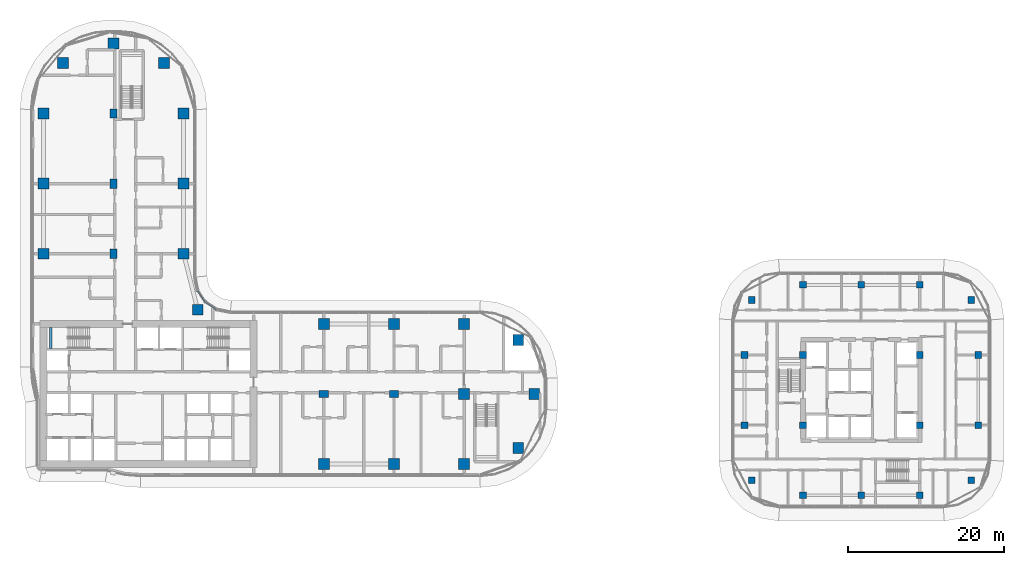
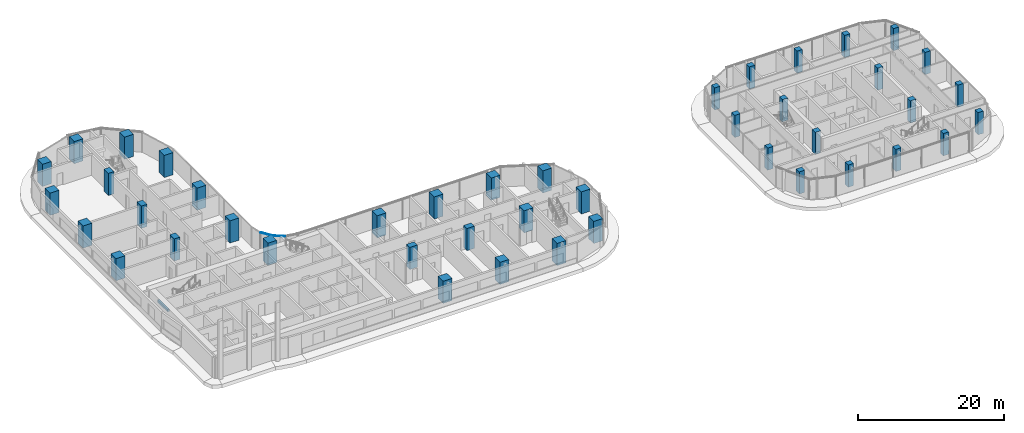
# One storey, part 1 of 36: 43 columns, 2 members, 1 beam, 1 element without a shape of its own.
"""IFC4 building model written with IfcOpenShell, lengths in metres."""

from ifc_helpers import new_model, si_unit, direction, frame, origin, origin_2d, place, context, subcontext, project, spatial, rectangle, extrude, material, material_profile, profile_set, type_object, element, aggregate, save


model = new_model("IFC4")

# Units and contexts
model_context = context("Model", 3, precision=1e-05, world=origin(), true_north=direction((0.0, 1.0)))
body_context = subcontext(model_context, "Body", "Model", "MODEL_VIEW")
ifc_project = project(units=[si_unit("LENGTHUNIT", "METRE"), si_unit("AREAUNIT", "SQUARE_METRE"), si_unit("VOLUMEUNIT", "CUBIC_METRE"), si_unit("PLANEANGLEUNIT", "RADIAN"), si_unit("MASSUNIT", "GRAM", prefix="KILO")], contexts=[model_context])

# Site, building, storey
site_placement = place(None, origin())
site = spatial("IfcSite", under=ifc_project, at=site_placement, CompositionType="ELEMENT")
building_placement = place(site_placement, origin())
building = spatial("IfcBuilding", under=site, at=building_placement, Name="Ogive Portal Towers", CompositionType="ELEMENT")
storey_placement = place(building_placement, frame((0.0, 0.0, 70.5)))
storey = spatial("IfcBuildingStorey", under=building, at=storey_placement, Name="L16", CompositionType="ELEMENT", Elevation=70.5)

# Columns
ifc_material_1 = material(Name="Concrete C60/75", Category="concrete")
ifc_material_profile_1 = material_profile(ifc_material_1, rectangle(XDim=1.199951171875, YDim=0.89990234375, at=origin_2d()), Name="RC 1200x900")
ifc_profile_set_1 = profile_set([ifc_material_profile_1], Name="Concrete C60/75")
column_type_1 = type_object("IfcColumnType", Name="COLUMN RC 1200x900", PredefinedType="COLUMN", material=ifc_profile_set_1)
for number, where, z_axis, x_axis, name in (
    (1, (67.5, 30.5, 0.0), (0.0, 0.0, 1.0), (1.0, 0.0, 0.0), "Column 5/B L16"),
    (2, (76.5, 30.5, 0.0), (0.0, 0.0, 1.0), (1.0, 0.0, 0.0), "Column 6/B L16"),
    (3, (40.5, 48.5, 0.0), (0.0, 0.0, 1.0), (0.0, 1.0, 0.0), "Column 2/D L16"),
    (4, (40.5, 57.5, 0.0), (0.0, 0.0, 1.0), (0.0, 1.0, 0.0), "Column 2/E L16"),
    (5, (40.5, 66.5, 0.0), (0.0, 0.0, 1.0), (0.0, 1.0, 0.0), "Column 2/F L16"),
):
    element("IfcColumn", number, at=place(storey_placement, frame(where, z_axis=z_axis, x_axis=x_axis)), inside=storey, type_object=column_type_1, Name=name, PredefinedType="COLUMN", context=body_context, shape_type="SweptSolid", body=[
        extrude(rectangle(XDim=1.199951171875, YDim=0.89990234375, at=origin_2d()), origin(), (0.0, 0.0, 1.0), 3.699951171875),
    ])
ifc_material_profile_2 = material_profile(ifc_material_1, rectangle(XDim=1.39990234375, YDim=1.39990234375, at=origin_2d()), Name="RC 1400x1400")
ifc_profile_set_2 = profile_set([ifc_material_profile_2], Name="Concrete C60/75")
column_type_2 = type_object("IfcColumnType", Name="COLUMN RC 1400x1400", PredefinedType="COLUMN", material=ifc_profile_set_2)
for number, where, z_axis, x_axis, name in (
    (6, (67.5, 21.5, 0.0), (0.0, 0.0, 1.0), (1.0, 0.0, 0.0), "Column 5/A L16"),
    (7, (76.5, 21.5, 0.0), (0.0, 0.0, 1.0), (1.0, 0.0, 0.0), "Column 6/A L16"),
    (8, (85.5, 21.5, 0.0), (0.0, 0.0, 1.0), (1.0, 0.0, 0.0), "Column 7/A L16"),
    (9, (92.449951171875, 23.550048828125, 0.0), (0.0, 0.0, 1.0), (1.0, 0.0, 0.0), "Column L16"),
    (10, (85.5, 30.5, 0.0), (0.0, 0.0, 1.0), (1.0, 0.0, 0.0), "Column 7/B L16"),
    (11, (94.5, 30.5, 0.0), (0.0, 0.0, 1.0), (1.0, 0.0, 0.0), "Column 8/B L16"),
    (12, (92.449951171875, 37.449951171875, 0.0), (0.0, 0.0, 1.0), (1.0, 0.0, 0.0), "Column L16"),
    (13, (67.5, 39.5, 0.0), (0.0, 0.0, 1.0), (1.0, 0.0, 0.0), "Column 5/C L16"),
    (14, (76.5, 39.5, 0.0), (0.0, 0.0, 1.0), (1.0, 0.0, 0.0), "Column 6/C L16"),
    (15, (85.5, 39.5, 0.0), (0.0, 0.0, 1.0), (1.0, 0.0, 0.0), "Column 7/C L16"),
    (16, (51.31005859375, 41.31005859375, 0.0), (0.0, 0.0, 1.0), (1.0, 0.0, 0.0), "Column L16"),
    (17, (31.5, 48.5, 0.0), (0.0, 0.0, 1.0), (1.0, 0.0, 0.0), "Column 1/D L16"),
    (18, (49.5, 48.5, 0.0), (0.0, 0.0, 1.0), (1.0, 0.0, 0.0), "Column 3/D L16"),
    (19, (31.5, 57.5, 0.0), (0.0, 0.0, 1.0), (1.0, 0.0, 0.0), "Column 1/E L16"),
    (20, (49.5, 57.5, 0.0), (0.0, 0.0, 1.0), (1.0, 0.0, 0.0), "Column 3/E L16"),
    (21, (31.5, 66.5, 0.0), (0.0, 0.0, 1.0), (1.0, 0.0, 0.0), "Column 1/F L16"),
    (22, (49.5, 66.5, 0.0), (0.0, 0.0, 1.0), (1.0, 0.0, 0.0), "Column 3/F L16"),
    (23, (34.027099609375, 72.972900390625, 0.0), (0.0, 0.0, 1.0), (1.0, 0.0, 0.0), "Column L16"),
    (24, (46.972900390625, 72.972900390625, 0.0), (0.0, 0.0, 1.0), (1.0, 0.0, 0.0), "Column L16"),
    (25, (40.5, 75.5, 0.0), (0.0, 0.0, 1.0), (1.0, 0.0, 0.0), "Column 2/G L16"),
):
    element("IfcColumn", number, at=place(storey_placement, frame(where, z_axis=z_axis, x_axis=x_axis)), inside=storey, type_object=column_type_2, Name=name, PredefinedType="COLUMN", context=body_context, shape_type="SweptSolid", body=[
        extrude(rectangle(XDim=1.39990234375, YDim=1.39990234375, at=origin_2d()), origin(), (0.0, 0.0, 1.0), 3.699951171875),
    ])
ifc_material_2 = material(Name="Concrete C50/60", Category="concrete")
ifc_material_profile_3 = material_profile(ifc_material_2, rectangle(XDim=0.85009765625, YDim=0.85009765625, at=origin_2d()), Name="RC 850x850")
ifc_profile_set_3 = profile_set([ifc_material_profile_3], Name="Concrete C50/60")
column_type_3 = type_object("IfcColumnType", Name="COLUMN RC 850x850", PredefinedType="COLUMN", material=ifc_profile_set_3)
for number, where, z_axis, x_axis, name in (
    (26, (129.0, 17.5, 0.0), (0.0, 0.0, 1.0), (1.0, 0.0, 0.0), "Column 12/H L16"),
    (27, (136.5, 17.5, 0.0), (0.0, 0.0, 1.0), (1.0, 0.0, 0.0), "Column 13/H L16"),
    (28, (144.0, 17.5, 0.0), (0.0, 0.0, 1.0), (1.0, 0.0, 0.0), "Column 14/H L16"),
    (29, (122.40087890625, 19.44189453125, 0.0), (0.0, 0.0, 1.0), (1.0, 0.0, 0.0), "Column L16"),
    (30, (150.59912109375, 19.44189453125, 0.0), (0.0, 0.0, 1.0), (1.0, 0.0, 0.0), "Column L16"),
    (31, (121.5, 26.5, 0.0), (0.0, 0.0, 1.0), (1.0, 0.0, 0.0), "Column 11/J L16"),
    (32, (129.0, 26.5, 0.0), (0.0, 0.0, 1.0), (1.0, 0.0, 0.0), "Column 12/J L16"),
    (33, (144.0, 26.5, 0.0), (0.0, 0.0, 1.0), (1.0, 0.0, 0.0), "Column 14/J L16"),
    (34, (151.5, 26.5, 0.0), (0.0, 0.0, 1.0), (1.0, 0.0, 0.0), "Column 15/J L16"),
    (35, (121.5, 35.5, 0.0), (0.0, 0.0, 1.0), (1.0, 0.0, 0.0), "Column 11/K L16"),
    (36, (129.0, 35.5, 0.0), (0.0, 0.0, 1.0), (1.0, 0.0, 0.0), "Column 12/K L16"),
    (37, (144.0, 35.5, 0.0), (0.0, 0.0, 1.0), (1.0, 0.0, 0.0), "Column 14/K L16"),
    (38, (151.5, 35.5, 0.0), (0.0, 0.0, 1.0), (1.0, 0.0, 0.0), "Column 15/K L16"),
    (39, (122.40087890625, 42.55810546875, 0.0), (0.0, 0.0, 1.0), (1.0, 0.0, 0.0), "Column L16"),
    (40, (150.59912109375, 42.55810546875, 0.0), (0.0, 0.0, 1.0), (1.0, 0.0, 0.0), "Column L16"),
    (41, (129.0, 44.5, 0.0), (0.0, 0.0, 1.0), (1.0, 0.0, 0.0), "Column 12/L L16"),
    (42, (136.5, 44.5, 0.0), (0.0, 0.0, 1.0), (1.0, 0.0, 0.0), "Column 13/L L16"),
    (43, (144.0, 44.5, 0.0), (0.0, 0.0, 1.0), (1.0, 0.0, 0.0), "Column 14/L L16"),
):
    element("IfcColumn", number, at=place(storey_placement, frame(where, z_axis=z_axis, x_axis=x_axis)), inside=storey, type_object=column_type_3, Name=name, PredefinedType="COLUMN", context=body_context, shape_type="SweptSolid", body=[
        extrude(rectangle(XDim=0.85009765625, YDim=0.85009765625, at=origin_2d()), origin(), (0.0, 0.0, 1.0), 3.699951171875),
    ])

# Beam
ifc_material_3 = material(Name="Concrete C40/50", Category="concrete")
ifc_material_profile_4 = material_profile(ifc_material_3, rectangle(XDim=0.300048828125, YDim=0.39990234375, at=origin_2d()), Name="RC 300x400")
ifc_profile_set_4 = profile_set([ifc_material_profile_4], Name="Concrete C40/50")
beam_type = type_object("IfcBeamType", Name="BEAM RC 300x400", PredefinedType="BEAM", material=ifc_profile_set_4)
beam_placement = place(storey_placement, frame((32.449951171875, 36.35009765625, 1.449951171875), z_axis=(0.0, 1.0, 0.0), x_axis=(-1.0, 0.0, 0.0)))
element("IfcBeam", 44, at=beam_placement, inside=storey, type_object=beam_type, Name="Landing beam L16", PredefinedType="BEAM", context=body_context, shape_type="SweptSolid", body=[
    extrude(rectangle(XDim=0.300048828125, YDim=0.39990234375, at=origin_2d()), origin(), (0.0, 0.0, 1.0), 2.699951171875),
])

# Curtain wall, members
ifc_material_4 = material(Name="Glass, clear low-iron insulated glazing", Category="glass")
curtain_wall_type = type_object("IfcCurtainWallType", Name="CW FRONT RIBBON 4500", PredefinedType="NOTDEFINED", material=ifc_material_4)
curtain_wall_placement = place(storey_placement, origin())
curtain_wall = element("IfcCurtainWall", 45, at=curtain_wall_placement, inside=storey, type_object=curtain_wall_type, Name="A:L16:f13:cwa", PredefinedType="NOTDEFINED")
ifc_material_5 = material(Name="Aluminium 6063 anodised", Category="aluminium")
ifc_material_profile_5 = material_profile(ifc_material_5, rectangle(XDim=0.1201171875, YDim=0.06005859375, at=origin_2d()), Name="AL 120x60")
ifc_profile_set_5 = profile_set([ifc_material_profile_5], Name="Aluminium 6063 anodised")
member_type = type_object("IfcMemberType", Name="CW TRANSOM 60x120", PredefinedType="USERDEFINED", material=ifc_profile_set_5)
member_1_placement = place(storey_placement, frame((53.746826171875, 41.26708984375, 3.3701171875), z_axis=(-0.831503657605, 0.555519277244, 0.0), x_axis=(-0.555519277244, -0.831503657605, 0.0)))
member_1 = element("IfcMember", 46, at=member_1_placement, type_object=member_type, Name="transom", ObjectType="TRANSOM", PredefinedType="USERDEFINED", context=body_context, shape_type="SweptSolid", body=[
    extrude(rectangle(XDim=0.1201171875, YDim=0.06005859375, at=origin_2d()), origin(), (0.0, 0.0, 1.0), 1.787841796875),
])
member_2_placement = place(storey_placement, frame((52.26025390625, 42.26025390625, 3.3701171875), z_axis=(-0.555519277244, 0.831503657605, 0.0), x_axis=(-0.831503657605, -0.555519277244, 0.0)))
member_2 = element("IfcMember", 47, at=member_2_placement, type_object=member_type, Name="transom", ObjectType="TRANSOM", PredefinedType="USERDEFINED", context=body_context, shape_type="SweptSolid", body=[
    extrude(rectangle(XDim=0.1201171875, YDim=0.06005859375, at=origin_2d()), origin(), (0.0, 0.0, 1.0), 1.787841796875),
])
aggregate(curtain_wall, [member_1, member_2])

save(model, "model.ifc")
